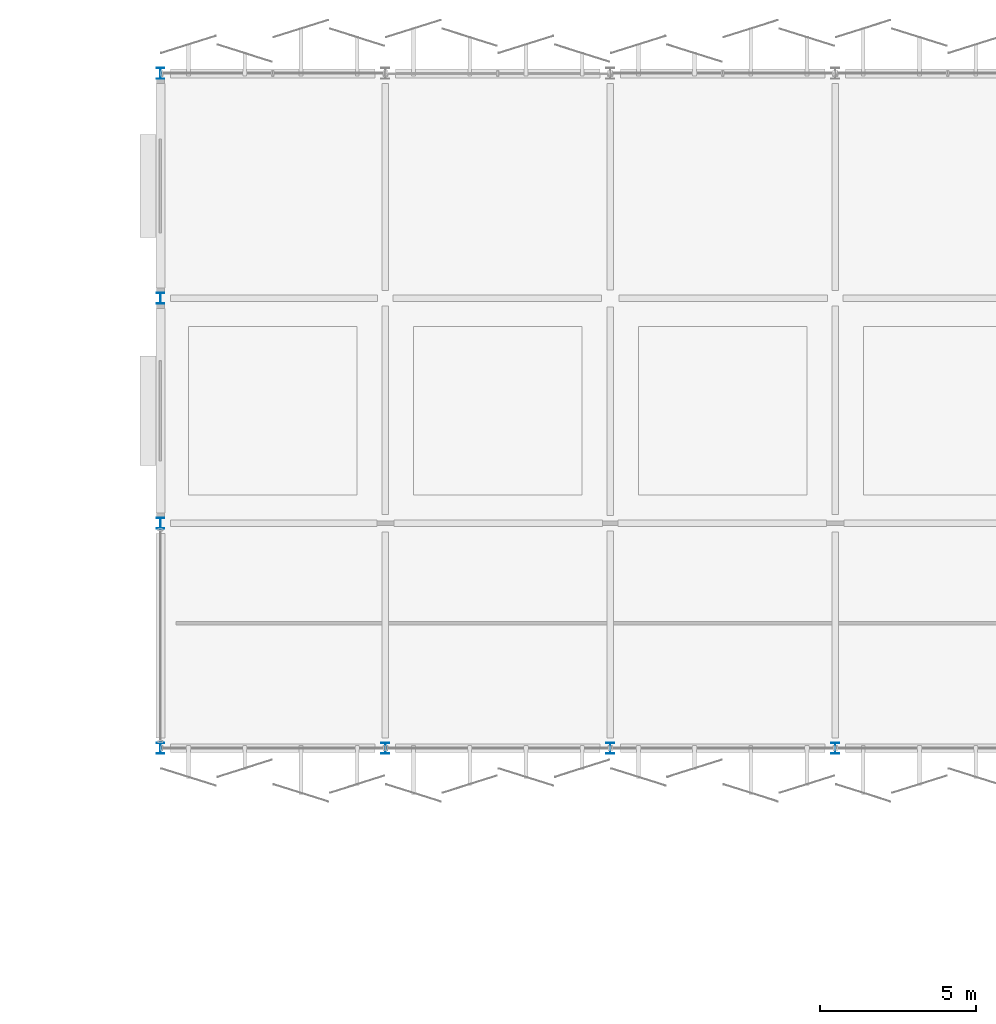
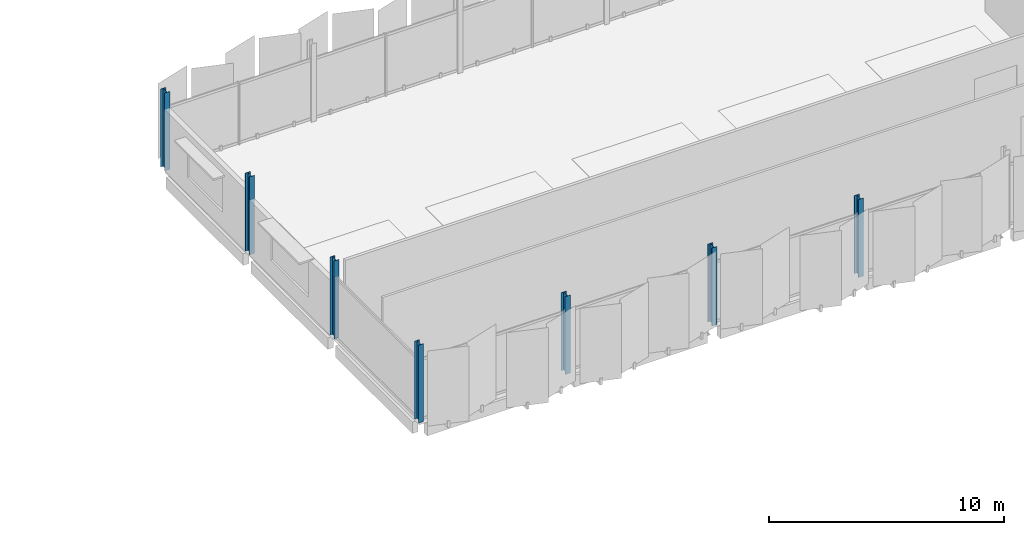
# One storey, part 2 of 91: 7 columns.
"""IFC4 building model written with IfcOpenShell, lengths in metres."""

from ifc_helpers import new_model, si_unit, direction, frame, origin, origin_2d, place, context, subcontext, project, spatial, i_section, extrude, material, material_profile, profile_set, type_object, element, save


model = new_model("IFC4")

# Units and contexts
model_context = context("Model", 3, precision=1e-05, world=origin(), true_north=direction((0.0, 1.0)))
body_context = subcontext(model_context, "Body", "Model", "MODEL_VIEW")
ifc_project = project(units=[si_unit("LENGTHUNIT", "METRE"), si_unit("AREAUNIT", "SQUARE_METRE"), si_unit("VOLUMEUNIT", "CUBIC_METRE"), si_unit("PLANEANGLEUNIT", "RADIAN"), si_unit("MASSUNIT", "GRAM", prefix="KILO")], contexts=[model_context])

# Site, building, storey
site_placement = place(None, origin())
site = spatial("IfcSite", under=ifc_project, at=site_placement, CompositionType="ELEMENT")
building_placement = place(site_placement, origin())
building = spatial("IfcBuilding", under=site, at=building_placement, Name="Kangsadwip Square Police Headquarters", CompositionType="ELEMENT")
storey_placement = place(building_placement, frame((0.0, 0.0, 13.5)))
storey = spatial("IfcBuildingStorey", under=building, at=storey_placement, Name="L03", CompositionType="ELEMENT", Elevation=13.5)

# Columns
ifc_material = material(Name="Structural steel IS 2062 E350 (Grade 350, 350 MPa)", Category="steel")
ifc_material_profile = material_profile(ifc_material, i_section(OverallWidth=0.25, OverallDepth=0.35009765625, WebThickness=0.010009765625, FlangeThickness=0.01171875, at=origin_2d()), Name="ISHB 350")
ifc_profile_set = profile_set([ifc_material_profile], Name="Structural steel IS 2062 E350 (Grade 350, 350 MPa)")
column_type = type_object("IfcColumnType", Name="SteelColIshb350", PredefinedType="COLUMN", material=ifc_profile_set)
for number, where, z_axis, x_axis, name in (
    (1, (93.60009765625, 93.60009765625, 0.0), (0.0, 0.0, 1.0), (1.0, 0.0, 0.0), "Column COL-L03-13-13"),
    (2, (93.60009765625, 100.800048828125, 0.0), (0.0, 0.0, 1.0), (1.0, 0.0, 0.0), "Column COL-L03-13-14"),
    (3, (93.60009765625, 108.0, 0.0), (0.0, 0.0, 1.0), (1.0, 0.0, 0.0), "Column COL-L03-13-15"),
    (4, (93.60009765625, 115.199951171875, 0.0), (0.0, 0.0, 1.0), (1.0, 0.0, 0.0), "Column COL-L03-13-16"),
    (5, (100.800048828125, 93.60009765625, 0.0), (0.0, 0.0, 1.0), (1.0, 0.0, 0.0), "Column COL-L03-14-13"),
    (6, (108.0, 93.60009765625, 0.0), (0.0, 0.0, 1.0), (1.0, 0.0, 0.0), "Column COL-L03-15-13"),
    (7, (115.199951171875, 93.60009765625, 0.0), (0.0, 0.0, 1.0), (1.0, 0.0, 0.0), "Column COL-L03-16-13"),
):
    element("IfcColumn", number, at=place(storey_placement, frame(where, z_axis=z_axis, x_axis=x_axis)), inside=storey, type_object=column_type, Name=name, PredefinedType="COLUMN", context=body_context, shape_type="SweptSolid", body=[
        extrude(i_section(OverallWidth=0.25, OverallDepth=0.35009765625, WebThickness=0.010009765625, FlangeThickness=0.01171875, at=origin_2d()), origin(), (0.0, 0.0, 1.0), 4.050048828125),
    ])

save(model, "model.ifc")
